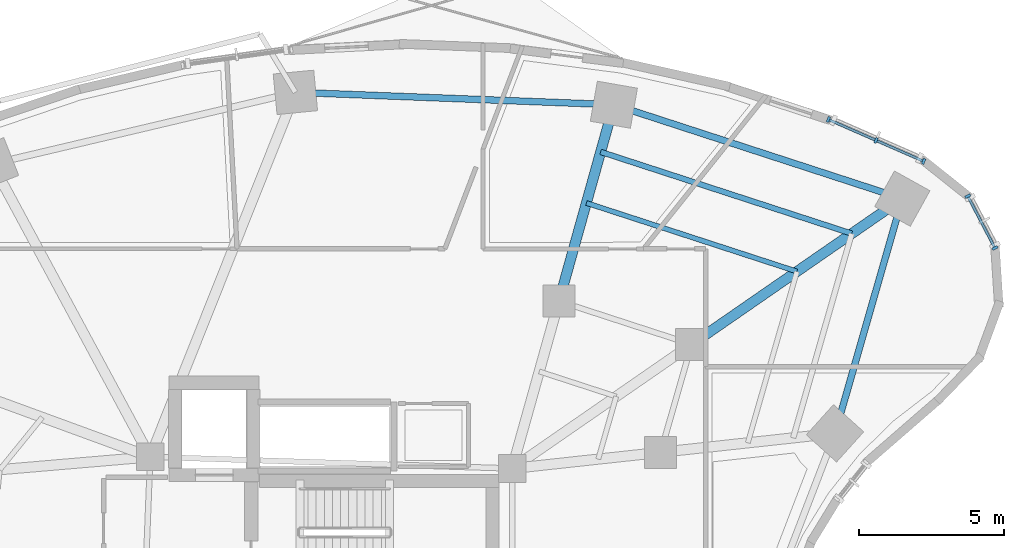
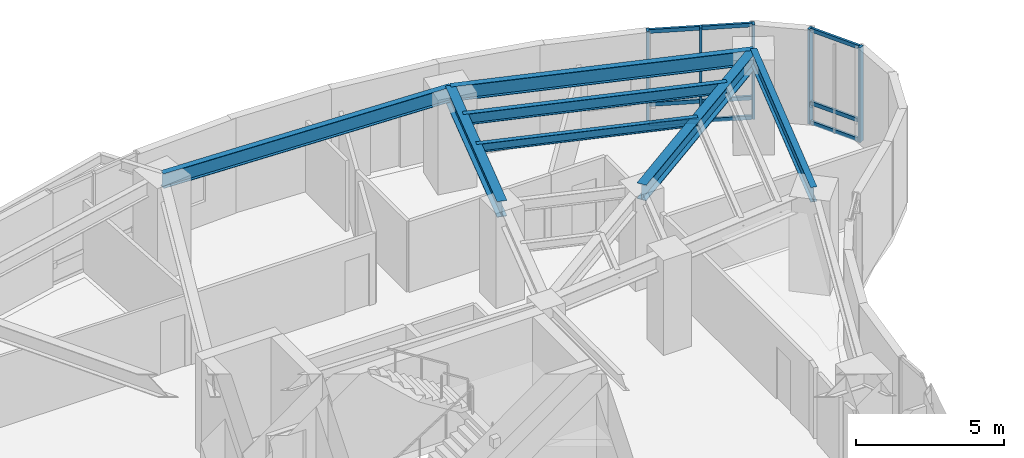
# One storey, part 6 of 14: 14 members, 7 beams, 2 elements without a shape of their own.
"""IFC4 building model written with IfcOpenShell, lengths in metres."""

from ifc_helpers import new_model, si_unit, direction, frame, origin, origin_2d, place, context, subcontext, project, spatial, rectangle, i_section, extrude, material, layer, layer_set, material_profile, profile_set, type_object, element, aggregate, save


model = new_model("IFC4")

# Units and contexts
model_context = context("Model", 3, precision=1e-05, world=origin(), true_north=direction((0.0, 1.0)))
body_context = subcontext(model_context, "Body", "Model", "MODEL_VIEW")
ifc_project = project(units=[si_unit("LENGTHUNIT", "METRE"), si_unit("AREAUNIT", "SQUARE_METRE"), si_unit("VOLUMEUNIT", "CUBIC_METRE"), si_unit("PLANEANGLEUNIT", "RADIAN"), si_unit("MASSUNIT", "GRAM", prefix="KILO")], contexts=[model_context])

# Site, building, storey
site_placement = place(None, origin())
site = spatial("IfcSite", under=ifc_project, at=site_placement, CompositionType="ELEMENT")
building_placement = place(site_placement, origin())
building = spatial("IfcBuilding", under=site, at=building_placement, Name="Korentha Bioscience Tower", CompositionType="ELEMENT")
storey_placement = place(building_placement, frame((0.0, 0.0, 46.800048828125)))
storey = spatial("IfcBuildingStorey", under=building, at=storey_placement, Name="L10", CompositionType="ELEMENT", Elevation=46.800048828125)

# Curtain wall, members
ifc_material_1 = material(Name="Thermally Broken Aluminium Frame", Category="aluminium")
ifc_layer = layer(ifc_material_1, 0.219970703125, Name="Thermally Broken Aluminium Frame")
ifc_layer_set = layer_set([ifc_layer], Name="Thermally Broken Aluminium Frame (CW-T2)")
curtain_wall_type = type_object("IfcCurtainWallType", Name="Solar-Screened Lab Unitised Curtain Wall CW-T2", PredefinedType="USERDEFINED", material=ifc_layer_set)
curtain_wall_1_placement = place(storey_placement, origin())
curtain_wall_1 = element("IfcCurtainWall", 1, at=curtain_wall_1_placement, inside=storey, type_object=curtain_wall_type, Name="L10 Curtain Wall 01", ObjectType="UNITISED", PredefinedType="USERDEFINED")
ifc_material_2 = material(Name="Anodised Aluminium 6063-T6", Category="aluminium")
ifc_material_profile_1 = material_profile(ifc_material_2, rectangle(XDim=0.090087890625, YDim=0.199951171875, at=origin_2d()), Name="Anodised Aluminium 6063-T6")
ifc_profile_set_1 = profile_set([ifc_material_profile_1], Name="Anodised Aluminium 6063-T6 (CW-MUL)")
member_type_1 = type_object("IfcMemberType", Name="Mullion RECT 90x200", PredefinedType="MULLION", material=ifc_profile_set_1)
member_1_placement = place(storey_placement, frame((51.71337890625, 46.420654296875, 0.0), z_axis=(0.0, 0.0, 1.0), x_axis=(-0.91593909057, 0.401317308828, 0.0)))
member_1 = element("IfcMember", 2, at=member_1_placement, type_object=member_type_1, Name="CW-L10-01 Mullion 1", PredefinedType="MULLION", context=body_context, shape_type="SweptSolid", body=[
    extrude(rectangle(XDim=0.090087890625, YDim=0.199951171875, at=origin_2d()), origin(), (0.0, 0.0, 1.0), 3.89990234375),
])
member_2_placement = place(storey_placement, frame((50.072998046875, 47.139404296875, 0.0), z_axis=(0.0, 0.0, 1.0), x_axis=(-0.91593909057, 0.401317308828, 0.0)))
member_2 = element("IfcMember", 3, at=member_2_placement, type_object=member_type_1, Name="CW-L10-01 Mullion 2", PredefinedType="MULLION", context=body_context, shape_type="SweptSolid", body=[
    extrude(rectangle(XDim=0.090087890625, YDim=0.199951171875, at=origin_2d()), origin(), (0.0, 0.0, 1.0), 3.89990234375),
])
member_3_placement = place(storey_placement, frame((48.43212890625, 47.8583984375, 0.0), z_axis=(0.0, 0.0, 1.0), x_axis=(-0.91593909057, 0.401317308828, 0.0)))
member_3 = element("IfcMember", 4, at=member_3_placement, type_object=member_type_1, Name="CW-L10-01 Mullion 3", PredefinedType="MULLION", context=body_context, shape_type="SweptSolid", body=[
    extrude(rectangle(XDim=0.090087890625, YDim=0.199951171875, at=origin_2d()), origin(), (0.0, 0.0, 1.0), 3.89990234375),
])

curtain_wall_2_placement = place(storey_placement, origin())
curtain_wall_2 = element("IfcCurtainWall", 5, at=curtain_wall_2_placement, inside=storey, type_object=curtain_wall_type, Name="L10 Curtain Wall 61", ObjectType="UNITISED", PredefinedType="USERDEFINED")
member_4_placement = place(storey_placement, frame((54.163330078125, 43.435302734375, 0.0), z_axis=(0.0, 0.0, 1.0), x_axis=(-0.463008597697, 0.886353788539, 0.0)))
member_4 = element("IfcMember", 6, at=member_4_placement, type_object=member_type_1, Name="CW-L10-61 Mullion 1", PredefinedType="MULLION", context=body_context, shape_type="SweptSolid", body=[
    extrude(rectangle(XDim=0.090087890625, YDim=0.199951171875, at=origin_2d()), origin(), (0.0, 0.0, 1.0), 3.89990234375),
])
member_5_placement = place(storey_placement, frame((53.22900390625, 45.2236328125, 0.0), z_axis=(0.0, 0.0, 1.0), x_axis=(-0.463008597697, 0.886353788539, 0.0)))
member_5 = element("IfcMember", 7, at=member_5_placement, type_object=member_type_1, Name="CW-L10-61 Mullion 2", PredefinedType="MULLION", context=body_context, shape_type="SweptSolid", body=[
    extrude(rectangle(XDim=0.090087890625, YDim=0.199951171875, at=origin_2d()), origin(), (0.0, 0.0, 1.0), 3.89990234375),
])

# Beams
ifc_material_3 = material(Name="Steel S355", Category="steel")
ifc_material_profile_2 = material_profile(ifc_material_3, i_section(OverallWidth=0.22802734375, OverallDepth=0.60791015625, WebThickness=0.01123046875, FlangeThickness=0.017333984375, at=origin_2d()), Name="Steel S355")
ifc_profile_set_2 = profile_set([ifc_material_profile_2], Name="Steel S355 (SB-610)")
beam_type_1 = type_object("IfcBeamType", Name="Perimeter Ring Spandrel Girder W610x113", PredefinedType="SPANDREL", material=ifc_profile_set_2)
beam_1_placement = place(storey_placement, frame((50.977294921875, 45.135498046875, 3.595947265625), z_axis=(-0.95087511444, 0.309574735305, 0.0), x_axis=(-0.309574735305, -0.95087511444, 0.0)))
element("IfcBeam", 8, at=beam_1_placement, inside=storey, type_object=beam_type_1, Name="L10 Perimeter Spandrel Girder 01", PredefinedType="SPANDREL", context=body_context, shape_type="SweptSolid", body=[
    extrude(i_section(OverallWidth=0.22802734375, OverallDepth=0.60791015625, WebThickness=0.01123046875, FlangeThickness=0.017333984375, at=origin_2d()), origin(), (0.0, 0.0, 1.0), 10.4375),
])
beam_2_placement = place(storey_placement, frame((41.052490234375, 48.36669921875, 3.595947265625), z_axis=(-0.999246003889, 0.03882555488, 0.0), x_axis=(-0.03882555488, -0.999246003889, 0.0)))
element("IfcBeam", 9, at=beam_2_placement, inside=storey, type_object=beam_type_1, Name="L10 Perimeter Spandrel Girder 02", PredefinedType="SPANDREL", context=body_context, shape_type="SweptSolid", body=[
    extrude(i_section(OverallWidth=0.22802734375, OverallDepth=0.60791015625, WebThickness=0.01123046875, FlangeThickness=0.017333984375, at=origin_2d()), origin(), (0.0, 0.0, 1.0), 10.966552734375),
])
beam_3_placement = place(storey_placement, frame((48.661865234375, 37.060791015625, 3.595947265625), z_axis=(0.275642273411, 0.961260285827, 0.0), x_axis=(-0.961260285827, 0.275642273411, 0.0)))
element("IfcBeam", 10, at=beam_3_placement, inside=storey, type_object=beam_type_1, Name="L10 Perimeter Spandrel Girder 16", PredefinedType="SPANDREL", context=body_context, shape_type="SweptSolid", body=[
    extrude(i_section(OverallWidth=0.22802734375, OverallDepth=0.60791015625, WebThickness=0.01123046875, FlangeThickness=0.017333984375, at=origin_2d()), origin(), (0.0, 0.0, 1.0), 8.400146484375),
])
ifc_material_profile_3 = material_profile(ifc_material_3, i_section(OverallWidth=0.18994140625, OverallDepth=0.45703125, WebThickness=0.009033203125, FlangeThickness=0.014404296875, at=origin_2d()), Name="Steel S355")
ifc_profile_set_3 = profile_set([ifc_material_profile_3], Name="Steel S355 (RB-460)")
beam_type_2 = type_object("IfcBeamType", Name="Radial Laboratory Beam W460x74", PredefinedType="BEAM", material=ifc_profile_set_3)
beam_4_placement = place(storey_placement, frame((49.2373046875, 43.931884765625, 3.67138671875), z_axis=(-0.95087437499, 0.309577006554, 0.0), x_axis=(-0.309577006554, -0.95087437499, 0.0)))
element("IfcBeam", 11, at=beam_4_placement, inside=storey, type_object=beam_type_2, Name="L10 Secondary Floor Beam JSTO-01", PredefinedType="BEAM", context=body_context, shape_type="SweptSolid", body=[
    extrude(i_section(OverallWidth=0.18994140625, OverallDepth=0.45703125, WebThickness=0.009033203125, FlangeThickness=0.014404296875, at=origin_2d()), origin(), (0.0, 0.0, 1.0), 9.0849609375),
])
ifc_material_profile_4 = material_profile(ifc_material_3, i_section(OverallWidth=0.35009765625, OverallDepth=0.64990234375, WebThickness=0.01611328125, FlangeThickness=0.02490234375, at=origin_2d()), Name="Steel S355")
ifc_profile_set_4 = profile_set([ifc_material_profile_4], Name="Steel S355 (RB-650)")
beam_type_3 = type_object("IfcBeamType", Name="Radial Laboratory Girder CVS 650x208", PredefinedType="BEAM", material=ifc_profile_set_4)
beam_5_placement = place(storey_placement, frame((43.7265625, 40.121337890625, 3.574951171875), z_axis=(0.822488186113, 0.568782193555, 0.0), x_axis=(-0.568782193555, 0.822488186113, 0.0)))
element("IfcBeam", 12, at=beam_5_placement, inside=storey, type_object=beam_type_3, Name="L10 Outer Radial Girder 01", PredefinedType="BEAM", context=body_context, shape_type="SweptSolid", body=[
    extrude(i_section(OverallWidth=0.35009765625, OverallDepth=0.64990234375, WebThickness=0.01611328125, FlangeThickness=0.02490234375, at=origin_2d()), origin(), (0.0, 0.0, 1.0), 8.815673828125),
])
beam_6_placement = place(storey_placement, frame((39.1611328125, 41.607666015625, 3.574951171875), z_axis=(0.269475095129, 0.963007358801, 0.0), x_axis=(-0.963007358801, 0.269475095129, 0.0)))
element("IfcBeam", 13, at=beam_6_placement, inside=storey, type_object=beam_type_3, Name="L10 Outer Radial Girder 02", PredefinedType="BEAM", context=body_context, shape_type="SweptSolid", body=[
    extrude(i_section(OverallWidth=0.35009765625, OverallDepth=0.64990234375, WebThickness=0.01611328125, FlangeThickness=0.02490234375, at=origin_2d()), origin(), (0.0, 0.0, 1.0), 7.0185546875),
])
ifc_material_profile_5 = material_profile(ifc_material_3, i_section(OverallWidth=0.1708984375, OverallDepth=0.35498046875, WebThickness=0.007080078125, FlangeThickness=0.01171875, at=origin_2d()), Name="Steel S355")
ifc_profile_set_5 = profile_set([ifc_material_profile_5], Name="Steel S355 (JB-360)")
beam_type_4 = type_object("IfcBeamType", Name="Secondary Laboratory Joist W360x51", PredefinedType="JOIST", material=ifc_profile_set_5)
beam_7_placement = place(storey_placement, frame((47.35205078125, 42.62841796875, 3.722412109375), z_axis=(-0.950870992772, 0.309587394938, 0.0), x_axis=(-0.309587394938, -0.950870992772, 0.0)))
element("IfcBeam", 14, at=beam_7_placement, inside=storey, type_object=beam_type_4, Name="L10 Secondary Floor Beam JST-01", PredefinedType="JOIST", context=body_context, shape_type="SweptSolid", body=[
    extrude(i_section(OverallWidth=0.1708984375, OverallDepth=0.35498046875, WebThickness=0.007080078125, FlangeThickness=0.01171875, at=origin_2d()), origin(), (0.0, 0.0, 1.0), 7.619384765625),
])

# Member
ifc_material_profile_6 = material_profile(ifc_material_2, rectangle(XDim=0.090087890625, YDim=0.159912109375, at=origin_2d()), Name="Anodised Aluminium 6063-T6")
ifc_profile_set_6 = profile_set([ifc_material_profile_6], Name="Anodised Aluminium 6063-T6 (CW-TRN)")
member_type_2 = type_object("IfcMemberType", Name="Transom RECT 90x160", PredefinedType="USERDEFINED", material=ifc_profile_set_6)
member_6_placement = place(storey_placement, frame((51.67236328125, 46.438720703125, 0.044921875), z_axis=(-0.915976098914, 0.401232832926, 0.0), x_axis=(-0.401232832926, -0.915976098914, 0.0)))
member_6 = element("IfcMember", 15, at=member_6_placement, type_object=member_type_2, Name="CW-L10-01 Bay 1 Transom 1", ObjectType="TRANSOM", PredefinedType="USERDEFINED", context=body_context, shape_type="SweptSolid", body=[
    extrude(rectangle(XDim=0.090087890625, YDim=0.159912109375, at=origin_2d()), origin(), (0.0, 0.0, 1.0), 1.701416015625),
])

member_7_placement = place(storey_placement, frame((51.67236328125, 46.438720703125, 0.849853515625), z_axis=(-0.915976098914, 0.401232832926, 0.0), x_axis=(-0.401232832926, -0.915976098914, 0.0)))
member_7 = element("IfcMember", 16, at=member_7_placement, type_object=member_type_2, Name="CW-L10-01 Bay 1 Transom 2", ObjectType="TRANSOM", PredefinedType="USERDEFINED", context=body_context, shape_type="SweptSolid", body=[
    extrude(rectangle(XDim=0.090087890625, YDim=0.159912109375, at=origin_2d()), origin(), (0.0, 0.0, 1.0), 1.701416015625),
])

member_8_placement = place(storey_placement, frame((51.67236328125, 46.438720703125, 3.85498046875), z_axis=(-0.915976098914, 0.401232832926, 0.0), x_axis=(-0.401232832926, -0.915976098914, 0.0)))
member_8 = element("IfcMember", 17, at=member_8_placement, type_object=member_type_2, Name="CW-L10-01 Bay 1 Transom 3", ObjectType="TRANSOM", PredefinedType="USERDEFINED", context=body_context, shape_type="SweptSolid", body=[
    extrude(rectangle(XDim=0.090087890625, YDim=0.159912109375, at=origin_2d()), origin(), (0.0, 0.0, 1.0), 1.701416015625),
])

member_9_placement = place(storey_placement, frame((50.031494140625, 47.15771484375, 0.044921875), z_axis=(-0.915952992218, 0.401285579167, 0.0), x_axis=(-0.401285579167, -0.915952992218, 0.0)))
member_9 = element("IfcMember", 18, at=member_9_placement, type_object=member_type_2, Name="CW-L10-01 Bay 2 Transom 1", ObjectType="TRANSOM", PredefinedType="USERDEFINED", context=body_context, shape_type="SweptSolid", body=[
    extrude(rectangle(XDim=0.090087890625, YDim=0.159912109375, at=origin_2d()), origin(), (0.0, 0.0, 1.0), 1.701171875),
])

member_10_placement = place(storey_placement, frame((50.031494140625, 47.15771484375, 0.849853515625), z_axis=(-0.915952992218, 0.401285579167, 0.0), x_axis=(-0.401285579167, -0.915952992218, 0.0)))
member_10 = element("IfcMember", 19, at=member_10_placement, type_object=member_type_2, Name="CW-L10-01 Bay 2 Transom 2", ObjectType="TRANSOM", PredefinedType="USERDEFINED", context=body_context, shape_type="SweptSolid", body=[
    extrude(rectangle(XDim=0.090087890625, YDim=0.159912109375, at=origin_2d()), origin(), (0.0, 0.0, 1.0), 1.701171875),
])

member_11_placement = place(storey_placement, frame((50.031494140625, 47.15771484375, 3.85498046875), z_axis=(-0.915952992218, 0.401285579167, 0.0), x_axis=(-0.401285579167, -0.915952992218, 0.0)))
member_11 = element("IfcMember", 20, at=member_11_placement, type_object=member_type_2, Name="CW-L10-01 Bay 2 Transom 3", ObjectType="TRANSOM", PredefinedType="USERDEFINED", context=body_context, shape_type="SweptSolid", body=[
    extrude(rectangle(XDim=0.090087890625, YDim=0.159912109375, at=origin_2d()), origin(), (0.0, 0.0, 1.0), 1.701171875),
])

aggregate(curtain_wall_1, [member_1, member_2, member_3, member_6, member_7, member_8, member_9, member_10, member_11])

member_12_placement = place(storey_placement, frame((54.142333984375, 43.47509765625, 0.044921875), z_axis=(-0.462899248902, 0.886410900974, 0.0), x_axis=(-0.886410900974, -0.462899248902, 0.0)))
member_12 = element("IfcMember", 21, at=member_12_placement, type_object=member_type_2, Name="CW-L10-61 Bay 1 Transom 1", ObjectType="TRANSOM", PredefinedType="USERDEFINED", context=body_context, shape_type="SweptSolid", body=[
    extrude(rectangle(XDim=0.090087890625, YDim=0.159912109375, at=origin_2d()), origin(), (0.0, 0.0, 1.0), 1.927734375),
])

member_13_placement = place(storey_placement, frame((54.142333984375, 43.47509765625, 0.849853515625), z_axis=(-0.462899248902, 0.886410900974, 0.0), x_axis=(-0.886410900974, -0.462899248902, 0.0)))
member_13 = element("IfcMember", 22, at=member_13_placement, type_object=member_type_2, Name="CW-L10-61 Bay 1 Transom 2", ObjectType="TRANSOM", PredefinedType="USERDEFINED", context=body_context, shape_type="SweptSolid", body=[
    extrude(rectangle(XDim=0.090087890625, YDim=0.159912109375, at=origin_2d()), origin(), (0.0, 0.0, 1.0), 1.927734375),
])

member_14_placement = place(storey_placement, frame((54.142333984375, 43.47509765625, 3.85498046875), z_axis=(-0.462899248902, 0.886410900974, 0.0), x_axis=(-0.886410900974, -0.462899248902, 0.0)))
member_14 = element("IfcMember", 23, at=member_14_placement, type_object=member_type_2, Name="CW-L10-61 Bay 1 Transom 3", ObjectType="TRANSOM", PredefinedType="USERDEFINED", context=body_context, shape_type="SweptSolid", body=[
    extrude(rectangle(XDim=0.090087890625, YDim=0.159912109375, at=origin_2d()), origin(), (0.0, 0.0, 1.0), 1.927734375),
])

aggregate(curtain_wall_2, [member_4, member_5, member_12, member_13, member_14])

save(model, "model.ifc")
